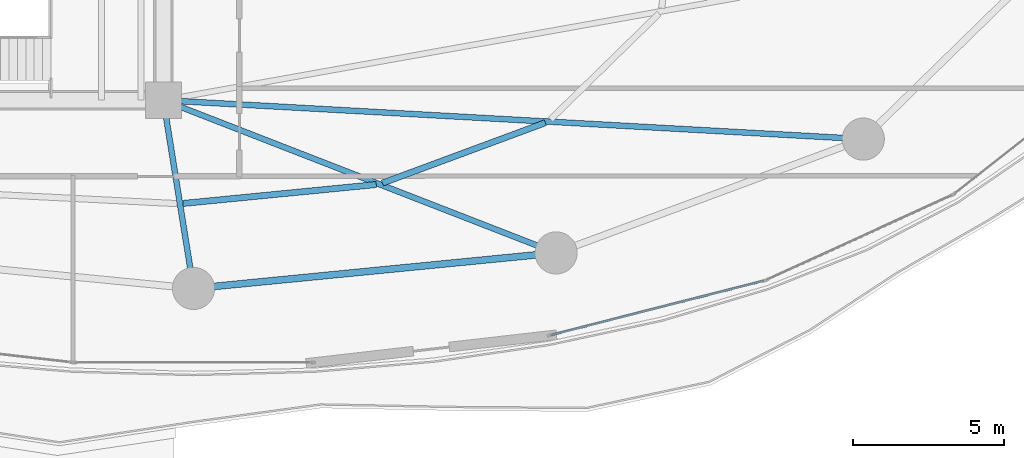
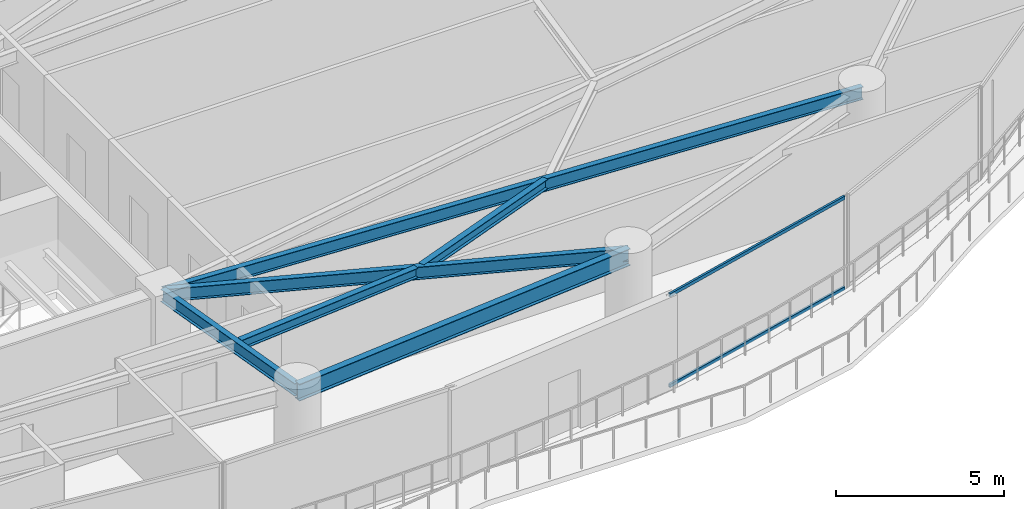
# One storey, part 12 of 32: 6 beams, 2 members, 1 element without a shape of its own.
"""IFC4 building model written with IfcOpenShell, lengths in metres."""

from ifc_helpers import new_model, si_unit, direction, frame, origin, origin_2d, place, context, subcontext, project, spatial, hollow_rectangle, i_section, extrude, material, layer, layer_set, material_profile, profile_set, type_object, element, aggregate, save


model = new_model("IFC4")

# Units and contexts
model_context = context("Model", 3, precision=1e-05, world=origin(), true_north=direction((0.0, 1.0)))
body_context = subcontext(model_context, "Body", "Model", "MODEL_VIEW")
ifc_project = project(units=[si_unit("LENGTHUNIT", "METRE"), si_unit("AREAUNIT", "SQUARE_METRE"), si_unit("VOLUMEUNIT", "CUBIC_METRE"), si_unit("PLANEANGLEUNIT", "RADIAN"), si_unit("MASSUNIT", "GRAM", prefix="KILO")], contexts=[model_context])

# Site, building, storey
site_placement = place(None, origin())
site = spatial("IfcSite", under=ifc_project, at=site_placement, CompositionType="ELEMENT")
building_placement = place(site_placement, origin())
building = spatial("IfcBuilding", under=site, at=building_placement, Name="Kazevale Care Tower and Concert Hall", CompositionType="ELEMENT")
storey_placement = place(building_placement, frame((0.0, 0.0, 24.0)))
storey = spatial("IfcBuildingStorey", under=building, at=storey_placement, Name="L05", CompositionType="ELEMENT", Elevation=24.0)

# Curtain wall, members
ifc_material_1 = material(Name="Aluminium 6063-T6 and Low-E Glass", Category="aluminium")
ifc_layer = layer(ifc_material_1, 0.179931640625)
ifc_layer_set = layer_set([ifc_layer], Name="Aluminium 6063-T6 and Low-E Glass")
curtain_wall_type = type_object("IfcCurtainWallType", Name="Sheltered Concave Balcony Curtain Wall CW-5", PredefinedType="NOTDEFINED", material=ifc_layer_set)
curtain_wall_placement = place(storey_placement, origin())
curtain_wall = element("IfcCurtainWall", 1, at=curtain_wall_placement, inside=storey, type_object=curtain_wall_type, Name="cw:L05:f04", PredefinedType="NOTDEFINED")
ifc_material_2 = material(Name="Aluminium 6063-T6", Category="aluminium")
ifc_material_profile_1 = material_profile(ifc_material_2, hollow_rectangle(XDim=0.074951171875, YDim=0.1201171875, WallThickness=0.00390625, at=origin_2d()), Name="ALU75x120x4")
ifc_profile_set_1 = profile_set([ifc_material_profile_1], Name="Aluminium 6063-T6")
member_type = type_object("IfcMemberType", Name="CW-5 Transom ALU75x120x4", PredefinedType="USERDEFINED", material=ifc_profile_set_1)
member_1_placement = place(storey_placement, frame((63.915283203125, 17.599365234375, 0.03759765625), z_axis=(-0.968960816419, -0.24721435283, 0.0), x_axis=(0.24721435283, -0.968960816419, 0.0)))
member_1 = element("IfcMember", 2, at=member_1_placement, type_object=member_type, Name="CW-5 transom 1.1", ObjectType="TRANSOM", PredefinedType="USERDEFINED", context=body_context, shape_type="SweptSolid", body=[
    extrude(hollow_rectangle(XDim=0.074951171875, YDim=0.1201171875, WallThickness=0.00390625, at=origin_2d()), origin(), (0.0, 0.0, 1.0), 7.2763671875),
])
member_2_placement = place(storey_placement, frame((63.915283203125, 17.599365234375, 3.322509765625), z_axis=(-0.968960816419, -0.24721435283, 0.0), x_axis=(0.24721435283, -0.968960816419, 0.0)))
member_2 = element("IfcMember", 3, at=member_2_placement, type_object=member_type, Name="CW-5 transom 1.2", ObjectType="TRANSOM", PredefinedType="USERDEFINED", context=body_context, shape_type="SweptSolid", body=[
    extrude(hollow_rectangle(XDim=0.074951171875, YDim=0.1201171875, WallThickness=0.00390625, at=origin_2d()), origin(), (0.0, 0.0, 1.0), 7.2763671875),
])
aggregate(curtain_wall, [member_1, member_2])

# Beams
ifc_material_3 = material(Name="Steel ASTM A572 Gr 50", Category="steel")
ifc_material_profile_2 = material_profile(ifc_material_3, i_section(OverallWidth=0.19091796875, OverallDepth=0.4599609375, WebThickness=0.010009765625, FlangeThickness=0.01611328125, at=origin_2d()), Name="W460x82")
ifc_profile_set_2 = profile_set([ifc_material_profile_2], Name="Steel ASTM A572 Gr 50")
beam_type_1 = type_object("IfcBeamType", Name="Radial Floor Beam W460x82", PredefinedType="BEAM", material=ifc_profile_set_2)
beam_1_placement = place(storey_placement, frame((44.0, 23.60009765625, 3.1298828125), z_axis=(0.157990501107, -0.987440631917, 0.0), x_axis=(0.987440631917, 0.157990501107, 0.0)))
element("IfcBeam", 4, at=beam_1_placement, inside=storey, type_object=beam_type_1, Name="beam:L05:rad:13", PredefinedType="BEAM", context=body_context, shape_type="SweptSolid", body=[
    extrude(i_section(OverallWidth=0.19091796875, OverallDepth=0.4599609375, WebThickness=0.010009765625, FlangeThickness=0.01611328125, at=origin_2d()), origin(), (0.0, 0.0, 1.0), 6.32958984375),
])
beam_2_placement = place(storey_placement, frame((44.0, 23.60009765625, 3.1298828125), z_axis=(0.932030212407, -0.362380577792, 0.0), x_axis=(0.362380577792, 0.932030212407, 0.0)))
element("IfcBeam", 5, at=beam_2_placement, inside=storey, type_object=beam_type_1, Name="beam:L05:rad:14", PredefinedType="BEAM", context=body_context, shape_type="SweptSolid", body=[
    extrude(i_section(OverallWidth=0.19091796875, OverallDepth=0.4599609375, WebThickness=0.010009765625, FlangeThickness=0.01611328125, at=origin_2d()), origin(), (0.0, 0.0, 1.0), 13.990966796875),
])
beam_3_placement = place(storey_placement, frame((44.0, 23.60009765625, 3.1298828125), z_axis=(0.998462901796, -0.055424125948, 0.0), x_axis=(0.055424125948, 0.998462901796, 0.0)))
element("IfcBeam", 6, at=beam_3_placement, inside=storey, type_object=beam_type_1, Name="beam:L05:rad:15", PredefinedType="BEAM", context=body_context, shape_type="SweptSolid", body=[
    extrude(i_section(OverallWidth=0.19091796875, OverallDepth=0.4599609375, WebThickness=0.010009765625, FlangeThickness=0.01611328125, at=origin_2d()), origin(), (0.0, 0.0, 1.0), 23.27587890625),
])
ifc_material_profile_3 = material_profile(ifc_material_3, i_section(OverallWidth=0.22900390625, OverallDepth=0.612060546875, WebThickness=0.011962890625, FlangeThickness=0.01953125, at=origin_2d()), Name="W610x125")
ifc_profile_set_3 = profile_set([ifc_material_profile_3], Name="Steel ASTM A572 Gr 50")
beam_type_2 = type_object("IfcBeamType", Name="Ring Spandrel Beam W610x125", PredefinedType="SPANDREL", material=ifc_profile_set_3)
beam_4_placement = place(storey_placement, frame((45.0, 17.35009765625, 3.053955078125), z_axis=(0.995232251602, 0.09753340644, 0.0), x_axis=(-0.09753340644, 0.995232251602, 0.0)))
element("IfcBeam", 7, at=beam_4_placement, inside=storey, type_object=beam_type_2, Name="beam:L05:ring:13", PredefinedType="SPANDREL", context=body_context, shape_type="SweptSolid", body=[
    extrude(i_section(OverallWidth=0.22900390625, OverallDepth=0.612060546875, WebThickness=0.011962890625, FlangeThickness=0.01953125, at=origin_2d()), origin(), (0.0, 0.0, 1.0), 12.09765625),
])
ifc_material_profile_4 = material_profile(ifc_material_3, i_section(OverallWidth=0.205078125, OverallDepth=0.35400390625, WebThickness=0.009521484375, FlangeThickness=0.016845703125, at=origin_2d()), Name="W360x79")
ifc_profile_set_4 = profile_set([ifc_material_profile_4], Name="Steel ASTM A572 Gr 50")
beam_type_3 = type_object("IfcBeamType", Name="Secondary Floor Joist W360x79", PredefinedType="JOIST", material=ifc_profile_set_4)
beam_5_placement = place(storey_placement, frame((44.654052734375, 20.173095703125, 3.18310546875), z_axis=(0.995242075791, 0.097433108212, 0.0), x_axis=(-0.097433108212, 0.995242075791, 0.0)))
element("IfcBeam", 8, at=beam_5_placement, inside=storey, type_object=beam_type_3, Name="beam:L05:joist:13", PredefinedType="JOIST", context=body_context, shape_type="SweptSolid", body=[
    extrude(i_section(OverallWidth=0.205078125, OverallDepth=0.35400390625, WebThickness=0.009521484375, FlangeThickness=0.016845703125, at=origin_2d()), origin(), (0.0, 0.0, 1.0), 6.44482421875),
])
beam_6_placement = place(storey_placement, frame((51.27001953125, 20.847900390625, 3.18310546875), z_axis=(0.937698254396, 0.347450692477, 0.0), x_axis=(-0.347450692477, 0.937698254396, 0.0)))
element("IfcBeam", 9, at=beam_6_placement, inside=storey, type_object=beam_type_3, Name="beam:L05:joist:14", PredefinedType="JOIST", context=body_context, shape_type="SweptSolid", body=[
    extrude(i_section(OverallWidth=0.205078125, OverallDepth=0.35400390625, WebThickness=0.009521484375, FlangeThickness=0.016845703125, at=origin_2d()), origin(), (0.0, 0.0, 1.0), 5.773681640625),
])

save(model, "model.ifc")
